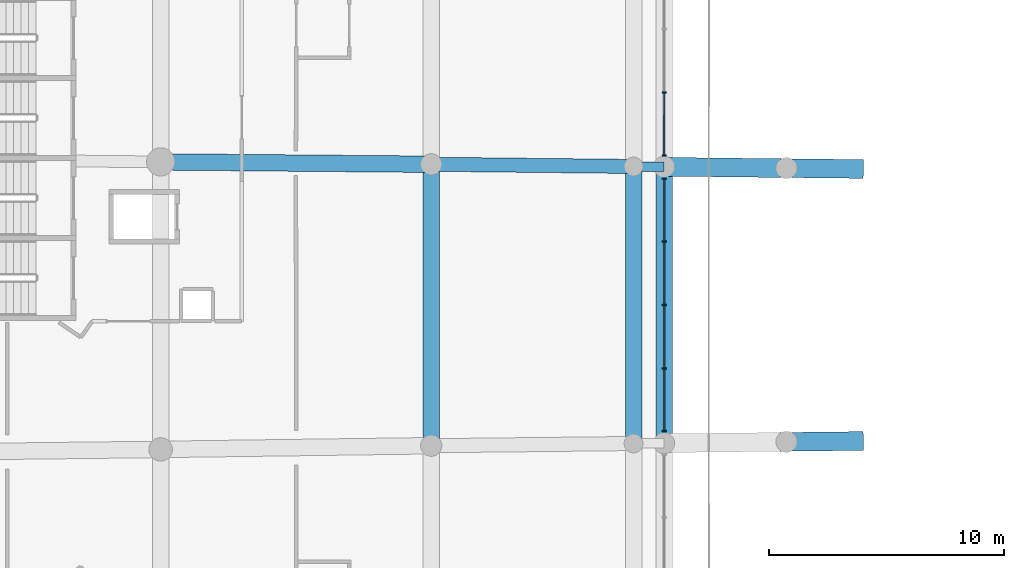
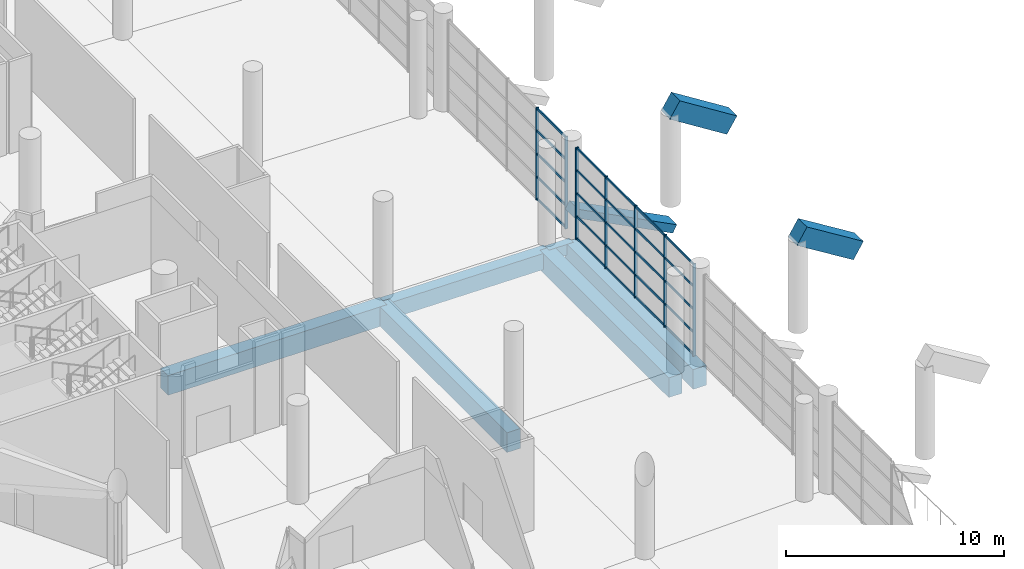
# One storey, part 38 of 271: 32 members, 9 beams, 2 elements without a shape of their own.
"""IFC4 building model written with IfcOpenShell, lengths in metres."""

from ifc_helpers import new_model, si_unit, direction, frame, origin, origin_2d, place, context, subcontext, project, spatial, rectangle, extrude, material, layer, layer_set, material_profile, profile_set, type_object, element, aggregate, save


model = new_model("IFC4")

# Units and contexts
model_context = context("Model", 3, precision=1e-05, world=origin(), true_north=direction((0.0, 1.0)))
body_context = subcontext(model_context, "Body", "Model", "MODEL_VIEW")
ifc_project = project(units=[si_unit("LENGTHUNIT", "METRE"), si_unit("AREAUNIT", "SQUARE_METRE"), si_unit("VOLUMEUNIT", "CUBIC_METRE"), si_unit("PLANEANGLEUNIT", "RADIAN"), si_unit("MASSUNIT", "GRAM", prefix="KILO")], contexts=[model_context])

# Site, building, storey
site_placement = place(None, origin())
site = spatial("IfcSite", under=ifc_project, at=site_placement, CompositionType="ELEMENT")
building_placement = place(site_placement, origin())
building = spatial("IfcBuilding", under=site, at=building_placement, Name="Meseta Stadium", CompositionType="ELEMENT")
storey_placement = place(building_placement, frame((0.0, 0.0, 6.5)))
storey = spatial("IfcBuildingStorey", under=building, at=storey_placement, Name="L01", CompositionType="ELEMENT", Elevation=6.5)

# Curtain wall, members
ifc_material_1 = material(Name="Aluminium", Category="aluminium")
ifc_layer = layer(ifc_material_1, 0.199951171875)
ifc_layer_set = layer_set([ifc_layer], Name="Club glazing curtain wall")
curtain_wall_type = type_object("IfcCurtainWallType", Name="Club glazing curtain wall", PredefinedType="NOTDEFINED", material=ifc_layer_set)
curtain_wall_1_placement = place(storey_placement, origin())
curtain_wall_1 = element("IfcCurtainWall", 1, at=curtain_wall_1_placement, inside=storey, type_object=curtain_wall_type, Name="Club glazing bay 31", PredefinedType="NOTDEFINED")
ifc_material_2 = material(Name="Aluminium", Category="aluminium")
ifc_material_profile_1 = material_profile(ifc_material_2, rectangle(XDim=0.159912109375, YDim=0.06005859375, at=origin_2d()), Name="CW 160x60")
ifc_profile_set_1 = profile_set([ifc_material_profile_1], Name="Aluminium")
member_type_1 = type_object("IfcMemberType", Name="CW mullion 60x160", PredefinedType="MULLION", material=ifc_profile_set_1)
member_1_placement = place(storey_placement, frame((-63.595703125, 9.02685546875, 0.0), z_axis=(0.0, 0.0, 1.0), x_axis=(0.999999572613, -0.000924539991, 0.0)))
member_1 = element("IfcMember", 2, at=member_1_placement, type_object=member_type_1, Name="CWC mullion 4", PredefinedType="MULLION", context=body_context, shape_type="SweptSolid", body=[
    extrude(rectangle(XDim=0.159912109375, YDim=0.06005859375, at=origin_2d()), origin(), (0.0, 0.0, 1.0), 5.14990234375),
])
member_2_placement = place(storey_placement, frame((-63.59814453125, 6.352783203125, 0.0), z_axis=(0.0, 0.0, 1.0), x_axis=(0.999999572613, -0.000924539991, 0.0)))
member_2 = element("IfcMember", 3, at=member_2_placement, type_object=member_type_1, Name="CWC mullion 5", PredefinedType="MULLION", context=body_context, shape_type="SweptSolid", body=[
    extrude(rectangle(XDim=0.159912109375, YDim=0.06005859375, at=origin_2d()), origin(), (0.0, 0.0, 1.0), 5.14990234375),
])

curtain_wall_2_placement = place(storey_placement, origin())
curtain_wall_2 = element("IfcCurtainWall", 4, at=curtain_wall_2_placement, inside=storey, type_object=curtain_wall_type, Name="Club glazing bay 32", PredefinedType="NOTDEFINED")
member_3_placement = place(storey_placement, frame((-63.5986328125, 5.36376953125, 0.0), z_axis=(0.0, 0.0, 1.0), x_axis=(1.0, 0.0, 0.0)))
member_3 = element("IfcMember", 5, at=member_3_placement, type_object=member_type_1, Name="CWC mullion 1", PredefinedType="MULLION", context=body_context, shape_type="SweptSolid", body=[
    extrude(rectangle(XDim=0.159912109375, YDim=0.06005859375, at=origin_2d()), origin(), (0.0, 0.0, 1.0), 5.14990234375),
])
member_4_placement = place(storey_placement, frame((-63.5986328125, 2.697021484375, 0.0), z_axis=(0.0, 0.0, 1.0), x_axis=(1.0, 0.0, 0.0)))
member_4 = element("IfcMember", 6, at=member_4_placement, type_object=member_type_1, Name="CWC mullion 2", PredefinedType="MULLION", context=body_context, shape_type="SweptSolid", body=[
    extrude(rectangle(XDim=0.159912109375, YDim=0.06005859375, at=origin_2d()), origin(), (0.0, 0.0, 1.0), 5.14990234375),
])
member_5_placement = place(storey_placement, frame((-63.5986328125, 0.0, 0.0), z_axis=(0.0, 0.0, 1.0), x_axis=(1.0, 0.0, 0.0)))
member_5 = element("IfcMember", 7, at=member_5_placement, type_object=member_type_1, Name="CWC mullion 3", PredefinedType="MULLION", context=body_context, shape_type="SweptSolid", body=[
    extrude(rectangle(XDim=0.159912109375, YDim=0.06005859375, at=origin_2d()), origin(), (0.0, 0.0, 1.0), 5.14990234375),
])
member_6_placement = place(storey_placement, frame((-63.5986328125, -2.697021484375, 0.0), z_axis=(0.0, 0.0, 1.0), x_axis=(1.0, 0.0, 0.0)))
member_6 = element("IfcMember", 8, at=member_6_placement, type_object=member_type_1, Name="CWC mullion 4", PredefinedType="MULLION", context=body_context, shape_type="SweptSolid", body=[
    extrude(rectangle(XDim=0.159912109375, YDim=0.06005859375, at=origin_2d()), origin(), (0.0, 0.0, 1.0), 5.14990234375),
])
member_7_placement = place(storey_placement, frame((-63.5986328125, -5.36376953125, 0.0), z_axis=(0.0, 0.0, 1.0), x_axis=(1.0, 0.0, 0.0)))
member_7 = element("IfcMember", 9, at=member_7_placement, type_object=member_type_1, Name="CWC mullion 5", PredefinedType="MULLION", context=body_context, shape_type="SweptSolid", body=[
    extrude(rectangle(XDim=0.159912109375, YDim=0.06005859375, at=origin_2d()), origin(), (0.0, 0.0, 1.0), 5.14990234375),
])

# Member
ifc_material_3 = material(Name="Aluminium", Category="aluminium")
ifc_material_profile_2 = material_profile(ifc_material_3, rectangle(XDim=0.06005859375, YDim=0.1201171875, at=origin_2d()), Name="CW 60x120")
ifc_profile_set_2 = profile_set([ifc_material_profile_2], Name="Aluminium")
member_type_2 = type_object("IfcMemberType", Name="CW transom 60x120", PredefinedType="USERDEFINED", material=ifc_profile_set_2)
member_8_placement = place(storey_placement, frame((-63.595703125, 8.996826171875, 0.06005859375), z_axis=(-0.000933968025, -0.999999563852, 0.0), x_axis=(0.999999563852, -0.000933968025, 0.0)))
member_8 = element("IfcMember", 10, at=member_8_placement, type_object=member_type_2, Name="CWC transom 4.1", ObjectType="TRANSOM", PredefinedType="USERDEFINED", context=body_context, shape_type="SweptSolid", body=[
    extrude(rectangle(XDim=0.06005859375, YDim=0.1201171875, at=origin_2d()), origin(), (0.0, 0.0, 1.0), 2.614013671875),
])

member_9_placement = place(storey_placement, frame((-63.595703125, 8.996826171875, 1.28759765625), z_axis=(-0.000933968025, -0.999999563852, 0.0), x_axis=(0.999999563852, -0.000933968025, 0.0)))
member_9 = element("IfcMember", 11, at=member_9_placement, type_object=member_type_2, Name="CWC transom 4.2", ObjectType="TRANSOM", PredefinedType="USERDEFINED", context=body_context, shape_type="SweptSolid", body=[
    extrude(rectangle(XDim=0.06005859375, YDim=0.1201171875, at=origin_2d()), origin(), (0.0, 0.0, 1.0), 2.614013671875),
])

member_10_placement = place(storey_placement, frame((-63.595703125, 8.996826171875, 2.574951171875), z_axis=(-0.000933968025, -0.999999563852, 0.0), x_axis=(0.999999563852, -0.000933968025, 0.0)))
member_10 = element("IfcMember", 12, at=member_10_placement, type_object=member_type_2, Name="CWC transom 4.3", ObjectType="TRANSOM", PredefinedType="USERDEFINED", context=body_context, shape_type="SweptSolid", body=[
    extrude(rectangle(XDim=0.06005859375, YDim=0.1201171875, at=origin_2d()), origin(), (0.0, 0.0, 1.0), 2.614013671875),
])

member_11_placement = place(storey_placement, frame((-63.595703125, 8.996826171875, 3.862548828125), z_axis=(-0.000933968025, -0.999999563852, 0.0), x_axis=(0.999999563852, -0.000933968025, 0.0)))
member_11 = element("IfcMember", 13, at=member_11_placement, type_object=member_type_2, Name="CWC transom 4.4", ObjectType="TRANSOM", PredefinedType="USERDEFINED", context=body_context, shape_type="SweptSolid", body=[
    extrude(rectangle(XDim=0.06005859375, YDim=0.1201171875, at=origin_2d()), origin(), (0.0, 0.0, 1.0), 2.614013671875),
])

member_12_placement = place(storey_placement, frame((-63.595703125, 8.996826171875, 5.090087890625), z_axis=(-0.000933968025, -0.999999563852, 0.0), x_axis=(0.999999563852, -0.000933968025, 0.0)))
member_12 = element("IfcMember", 14, at=member_12_placement, type_object=member_type_2, Name="CWC transom 4.5", ObjectType="TRANSOM", PredefinedType="USERDEFINED", context=body_context, shape_type="SweptSolid", body=[
    extrude(rectangle(XDim=0.06005859375, YDim=0.1201171875, at=origin_2d()), origin(), (0.0, 0.0, 1.0), 2.614013671875),
])

aggregate(curtain_wall_1, [member_1, member_2, member_8, member_9, member_10, member_11, member_12])

member_13_placement = place(storey_placement, frame((-63.5986328125, 5.333740234375, 0.06005859375), z_axis=(0.0, -1.0, 0.0), x_axis=(1.0, 0.0, 0.0)))
member_13 = element("IfcMember", 15, at=member_13_placement, type_object=member_type_2, Name="CWC transom 1.1", ObjectType="TRANSOM", PredefinedType="USERDEFINED", context=body_context, shape_type="SweptSolid", body=[
    extrude(rectangle(XDim=0.06005859375, YDim=0.1201171875, at=origin_2d()), origin(), (0.0, 0.0, 1.0), 2.60693359375),
])

member_14_placement = place(storey_placement, frame((-63.5986328125, 5.333740234375, 1.28759765625), z_axis=(0.0, -1.0, 0.0), x_axis=(1.0, 0.0, 0.0)))
member_14 = element("IfcMember", 16, at=member_14_placement, type_object=member_type_2, Name="CWC transom 1.2", ObjectType="TRANSOM", PredefinedType="USERDEFINED", context=body_context, shape_type="SweptSolid", body=[
    extrude(rectangle(XDim=0.06005859375, YDim=0.1201171875, at=origin_2d()), origin(), (0.0, 0.0, 1.0), 2.60693359375),
])

member_15_placement = place(storey_placement, frame((-63.5986328125, 5.333740234375, 2.574951171875), z_axis=(0.0, -1.0, 0.0), x_axis=(1.0, 0.0, 0.0)))
member_15 = element("IfcMember", 17, at=member_15_placement, type_object=member_type_2, Name="CWC transom 1.3", ObjectType="TRANSOM", PredefinedType="USERDEFINED", context=body_context, shape_type="SweptSolid", body=[
    extrude(rectangle(XDim=0.06005859375, YDim=0.1201171875, at=origin_2d()), origin(), (0.0, 0.0, 1.0), 2.60693359375),
])

member_16_placement = place(storey_placement, frame((-63.5986328125, 5.333740234375, 3.862548828125), z_axis=(0.0, -1.0, 0.0), x_axis=(1.0, 0.0, 0.0)))
member_16 = element("IfcMember", 18, at=member_16_placement, type_object=member_type_2, Name="CWC transom 1.4", ObjectType="TRANSOM", PredefinedType="USERDEFINED", context=body_context, shape_type="SweptSolid", body=[
    extrude(rectangle(XDim=0.06005859375, YDim=0.1201171875, at=origin_2d()), origin(), (0.0, 0.0, 1.0), 2.60693359375),
])

member_17_placement = place(storey_placement, frame((-63.5986328125, 5.333740234375, 5.090087890625), z_axis=(0.0, -1.0, 0.0), x_axis=(1.0, 0.0, 0.0)))
member_17 = element("IfcMember", 19, at=member_17_placement, type_object=member_type_2, Name="CWC transom 1.5", ObjectType="TRANSOM", PredefinedType="USERDEFINED", context=body_context, shape_type="SweptSolid", body=[
    extrude(rectangle(XDim=0.06005859375, YDim=0.1201171875, at=origin_2d()), origin(), (0.0, 0.0, 1.0), 2.60693359375),
])

member_18_placement = place(storey_placement, frame((-63.5986328125, 2.6669921875, 0.06005859375), z_axis=(0.0, -1.0, 0.0), x_axis=(1.0, 0.0, 0.0)))
member_18 = element("IfcMember", 20, at=member_18_placement, type_object=member_type_2, Name="CWC transom 2.1", ObjectType="TRANSOM", PredefinedType="USERDEFINED", context=body_context, shape_type="SweptSolid", body=[
    extrude(rectangle(XDim=0.06005859375, YDim=0.1201171875, at=origin_2d()), origin(), (0.0, 0.0, 1.0), 2.636962890625),
])

member_19_placement = place(storey_placement, frame((-63.5986328125, 2.6669921875, 1.28759765625), z_axis=(0.0, -1.0, 0.0), x_axis=(1.0, 0.0, 0.0)))
member_19 = element("IfcMember", 21, at=member_19_placement, type_object=member_type_2, Name="CWC transom 2.2", ObjectType="TRANSOM", PredefinedType="USERDEFINED", context=body_context, shape_type="SweptSolid", body=[
    extrude(rectangle(XDim=0.06005859375, YDim=0.1201171875, at=origin_2d()), origin(), (0.0, 0.0, 1.0), 2.636962890625),
])

member_20_placement = place(storey_placement, frame((-63.5986328125, 2.6669921875, 2.574951171875), z_axis=(0.0, -1.0, 0.0), x_axis=(1.0, 0.0, 0.0)))
member_20 = element("IfcMember", 22, at=member_20_placement, type_object=member_type_2, Name="CWC transom 2.3", ObjectType="TRANSOM", PredefinedType="USERDEFINED", context=body_context, shape_type="SweptSolid", body=[
    extrude(rectangle(XDim=0.06005859375, YDim=0.1201171875, at=origin_2d()), origin(), (0.0, 0.0, 1.0), 2.636962890625),
])

member_21_placement = place(storey_placement, frame((-63.5986328125, 2.6669921875, 3.862548828125), z_axis=(0.0, -1.0, 0.0), x_axis=(1.0, 0.0, 0.0)))
member_21 = element("IfcMember", 23, at=member_21_placement, type_object=member_type_2, Name="CWC transom 2.4", ObjectType="TRANSOM", PredefinedType="USERDEFINED", context=body_context, shape_type="SweptSolid", body=[
    extrude(rectangle(XDim=0.06005859375, YDim=0.1201171875, at=origin_2d()), origin(), (0.0, 0.0, 1.0), 2.636962890625),
])

member_22_placement = place(storey_placement, frame((-63.5986328125, 2.6669921875, 5.090087890625), z_axis=(0.0, -1.0, 0.0), x_axis=(1.0, 0.0, 0.0)))
member_22 = element("IfcMember", 24, at=member_22_placement, type_object=member_type_2, Name="CWC transom 2.5", ObjectType="TRANSOM", PredefinedType="USERDEFINED", context=body_context, shape_type="SweptSolid", body=[
    extrude(rectangle(XDim=0.06005859375, YDim=0.1201171875, at=origin_2d()), origin(), (0.0, 0.0, 1.0), 2.636962890625),
])

member_23_placement = place(storey_placement, frame((-63.5986328125, -0.030029296875, 0.06005859375), z_axis=(0.0, -1.0, 0.0), x_axis=(1.0, 0.0, 0.0)))
member_23 = element("IfcMember", 25, at=member_23_placement, type_object=member_type_2, Name="CWC transom 3.1", ObjectType="TRANSOM", PredefinedType="USERDEFINED", context=body_context, shape_type="SweptSolid", body=[
    extrude(rectangle(XDim=0.06005859375, YDim=0.1201171875, at=origin_2d()), origin(), (0.0, 0.0, 1.0), 2.636962890625),
])

member_24_placement = place(storey_placement, frame((-63.5986328125, -0.030029296875, 1.28759765625), z_axis=(0.0, -1.0, 0.0), x_axis=(1.0, 0.0, 0.0)))
member_24 = element("IfcMember", 26, at=member_24_placement, type_object=member_type_2, Name="CWC transom 3.2", ObjectType="TRANSOM", PredefinedType="USERDEFINED", context=body_context, shape_type="SweptSolid", body=[
    extrude(rectangle(XDim=0.06005859375, YDim=0.1201171875, at=origin_2d()), origin(), (0.0, 0.0, 1.0), 2.636962890625),
])

member_25_placement = place(storey_placement, frame((-63.5986328125, -0.030029296875, 2.574951171875), z_axis=(0.0, -1.0, 0.0), x_axis=(1.0, 0.0, 0.0)))
member_25 = element("IfcMember", 27, at=member_25_placement, type_object=member_type_2, Name="CWC transom 3.3", ObjectType="TRANSOM", PredefinedType="USERDEFINED", context=body_context, shape_type="SweptSolid", body=[
    extrude(rectangle(XDim=0.06005859375, YDim=0.1201171875, at=origin_2d()), origin(), (0.0, 0.0, 1.0), 2.636962890625),
])

member_26_placement = place(storey_placement, frame((-63.5986328125, -0.030029296875, 3.862548828125), z_axis=(0.0, -1.0, 0.0), x_axis=(1.0, 0.0, 0.0)))
member_26 = element("IfcMember", 28, at=member_26_placement, type_object=member_type_2, Name="CWC transom 3.4", ObjectType="TRANSOM", PredefinedType="USERDEFINED", context=body_context, shape_type="SweptSolid", body=[
    extrude(rectangle(XDim=0.06005859375, YDim=0.1201171875, at=origin_2d()), origin(), (0.0, 0.0, 1.0), 2.636962890625),
])

member_27_placement = place(storey_placement, frame((-63.5986328125, -0.030029296875, 5.090087890625), z_axis=(0.0, -1.0, 0.0), x_axis=(1.0, 0.0, 0.0)))
member_27 = element("IfcMember", 29, at=member_27_placement, type_object=member_type_2, Name="CWC transom 3.5", ObjectType="TRANSOM", PredefinedType="USERDEFINED", context=body_context, shape_type="SweptSolid", body=[
    extrude(rectangle(XDim=0.06005859375, YDim=0.1201171875, at=origin_2d()), origin(), (0.0, 0.0, 1.0), 2.636962890625),
])

member_28_placement = place(storey_placement, frame((-63.5986328125, -2.726806640625, 0.06005859375), z_axis=(0.0, -1.0, 0.0), x_axis=(1.0, 0.0, 0.0)))
member_28 = element("IfcMember", 30, at=member_28_placement, type_object=member_type_2, Name="CWC transom 4.1", ObjectType="TRANSOM", PredefinedType="USERDEFINED", context=body_context, shape_type="SweptSolid", body=[
    extrude(rectangle(XDim=0.06005859375, YDim=0.1201171875, at=origin_2d()), origin(), (0.0, 0.0, 1.0), 2.60693359375),
])

member_29_placement = place(storey_placement, frame((-63.5986328125, -2.726806640625, 1.28759765625), z_axis=(0.0, -1.0, 0.0), x_axis=(1.0, 0.0, 0.0)))
member_29 = element("IfcMember", 31, at=member_29_placement, type_object=member_type_2, Name="CWC transom 4.2", ObjectType="TRANSOM", PredefinedType="USERDEFINED", context=body_context, shape_type="SweptSolid", body=[
    extrude(rectangle(XDim=0.06005859375, YDim=0.1201171875, at=origin_2d()), origin(), (0.0, 0.0, 1.0), 2.60693359375),
])

member_30_placement = place(storey_placement, frame((-63.5986328125, -2.726806640625, 2.574951171875), z_axis=(0.0, -1.0, 0.0), x_axis=(1.0, 0.0, 0.0)))
member_30 = element("IfcMember", 32, at=member_30_placement, type_object=member_type_2, Name="CWC transom 4.3", ObjectType="TRANSOM", PredefinedType="USERDEFINED", context=body_context, shape_type="SweptSolid", body=[
    extrude(rectangle(XDim=0.06005859375, YDim=0.1201171875, at=origin_2d()), origin(), (0.0, 0.0, 1.0), 2.60693359375),
])

member_31_placement = place(storey_placement, frame((-63.5986328125, -2.726806640625, 3.862548828125), z_axis=(0.0, -1.0, 0.0), x_axis=(1.0, 0.0, 0.0)))
member_31 = element("IfcMember", 33, at=member_31_placement, type_object=member_type_2, Name="CWC transom 4.4", ObjectType="TRANSOM", PredefinedType="USERDEFINED", context=body_context, shape_type="SweptSolid", body=[
    extrude(rectangle(XDim=0.06005859375, YDim=0.1201171875, at=origin_2d()), origin(), (0.0, 0.0, 1.0), 2.60693359375),
])

member_32_placement = place(storey_placement, frame((-63.5986328125, -2.726806640625, 5.090087890625), z_axis=(0.0, -1.0, 0.0), x_axis=(1.0, 0.0, 0.0)))
member_32 = element("IfcMember", 34, at=member_32_placement, type_object=member_type_2, Name="CWC transom 4.5", ObjectType="TRANSOM", PredefinedType="USERDEFINED", context=body_context, shape_type="SweptSolid", body=[
    extrude(rectangle(XDim=0.06005859375, YDim=0.1201171875, at=origin_2d()), origin(), (0.0, 0.0, 1.0), 2.60693359375),
])

aggregate(curtain_wall_2, [member_3, member_4, member_5, member_6, member_7, member_13, member_14, member_15, member_16, member_17, member_18, member_19, member_20, member_21, member_22, member_23, member_24, member_25, member_26, member_27, member_28, member_29, member_30, member_31, member_32])

# Beams
ifc_material_4 = material(Name="Concrete C40/50", Category="concrete")
ifc_material_profile_3 = material_profile(ifc_material_4, rectangle(XDim=0.39990234375, YDim=0.60009765625, at=origin_2d()), Name="RC 400x600")
ifc_profile_set_3 = profile_set([ifc_material_profile_3], Name="Concrete C40/50")
beam_type_1 = type_object("IfcBeamType", Name="RC beam 400x600", PredefinedType="BEAM", material=ifc_profile_set_3)
beam_1_placement = place(storey_placement, frame((-63.5986328125, 5.872802734375, -0.64990234375), z_axis=(-0.999940687241, 0.010891372744, 0.0), x_axis=(-0.010891372744, -0.999940687241, 0.0)))
element("IfcBeam", 35, at=beam_1_placement, inside=storey, type_object=beam_type_1, Name="L01 radial beam frame 32 line C to D", PredefinedType="BEAM", context=body_context, shape_type="SweptSolid", body=[
    extrude(rectangle(XDim=0.39990234375, YDim=0.60009765625, at=origin_2d()), origin(), (0.0, 0.0, 1.0), 1.300048828125),
])
ifc_material_5 = material(Name="Concrete C40/50", Category="concrete")
ifc_material_profile_4 = material_profile(ifc_material_5, rectangle(XDim=0.60009765625, YDim=0.89990234375, at=origin_2d()), Name="RC 600x900")
ifc_profile_set_4 = profile_set([ifc_material_profile_4], Name="Concrete C40/50")
beam_type_2 = type_object("IfcBeamType", Name="RC beam 600x900", PredefinedType="BEAM", material=ifc_profile_set_4)
beam_2_placement = place(storey_placement, frame((-64.898681640625, 5.886962890625, -0.800048828125), z_axis=(-0.999939958323, 0.010958090563, 0.0), x_axis=(-0.010958090563, -0.999939958323, 0.0)))
element("IfcBeam", 36, at=beam_2_placement, inside=storey, type_object=beam_type_2, Name="L01 radial beam frame 32 line D to E", PredefinedType="BEAM", context=body_context, shape_type="SweptSolid", body=[
    extrude(rectangle(XDim=0.60009765625, YDim=0.89990234375, at=origin_2d()), origin(), (0.0, 0.0, 1.0), 8.599853515625),
])
ifc_material_6 = material(Name="Concrete C40/50", Category="concrete")
ifc_material_profile_5 = material_profile(ifc_material_6, rectangle(XDim=0.699951171875, YDim=1.10009765625, at=origin_2d()), Name="RC 700x1100")
ifc_profile_set_5 = profile_set([ifc_material_profile_5], Name="Concrete C40/50")
beam_type_3 = type_object("IfcBeamType", Name="RC beam 700x1100", PredefinedType="BEAM", material=ifc_profile_set_5)
beam_3_placement = place(storey_placement, frame((-63.5986328125, 5.872802734375, -0.89990234375), z_axis=(0.0, -1.0, 0.0), x_axis=(1.0, 0.0, 0.0)))
element("IfcBeam", 37, at=beam_3_placement, inside=storey, type_object=beam_type_3, Name="L01 ring beam frame 32 line C", PredefinedType="BEAM", context=body_context, shape_type="SweptSolid", body=[
    extrude(rectangle(XDim=0.699951171875, YDim=1.10009765625, at=origin_2d()), origin(), (0.0, 0.0, 1.0), 11.74560546875),
])
beam_4_placement = place(storey_placement, frame((-64.898681640625, 5.886962890625, -0.89990234375), z_axis=(0.0, -1.0, 0.0), x_axis=(1.0, 0.0, 0.0)))
element("IfcBeam", 38, at=beam_4_placement, inside=storey, type_object=beam_type_3, Name="L01 ring beam frame 32 line D", PredefinedType="BEAM", context=body_context, shape_type="SweptSolid", body=[
    extrude(rectangle(XDim=0.699951171875, YDim=1.10009765625, at=origin_2d()), origin(), (0.0, 0.0, 1.0), 11.77392578125),
])
beam_5_placement = place(storey_placement, frame((-73.498046875, 5.981201171875, -0.89990234375), z_axis=(0.0, -1.0, 0.0), x_axis=(1.0, 0.0, 0.0)))
element("IfcBeam", 39, at=beam_5_placement, inside=storey, type_object=beam_type_3, Name="L01 ring beam frame 32 line E", PredefinedType="BEAM", context=body_context, shape_type="SweptSolid", body=[
    extrude(rectangle(XDim=0.699951171875, YDim=1.10009765625, at=origin_2d()), origin(), (0.0, 0.0, 1.0), 11.96240234375),
])
beam_6_placement = place(storey_placement, frame((-73.498046875, 5.981201171875, -0.89990234375), z_axis=(-0.999962117874, 0.008704183863, 0.0), x_axis=(-0.008704183863, -0.999962117874, 0.0)))
element("IfcBeam", 40, at=beam_6_placement, inside=storey, type_object=beam_type_3, Name="L01 radial beam frame 32 line E to P", PredefinedType="BEAM", context=body_context, shape_type="SweptSolid", body=[
    extrude(rectangle(XDim=0.699951171875, YDim=1.10009765625, at=origin_2d()), origin(), (0.0, 0.0, 1.0), 11.5),
])
ifc_material_7 = material(Name="Concrete C40/50", Category="concrete")
ifc_material_profile_6 = material_profile(ifc_material_7, rectangle(XDim=0.800048828125, YDim=0.449951171875, at=origin_2d()), Name="RC 800x450")
ifc_profile_set_6 = profile_set([ifc_material_profile_6], Name="Concrete C40/50")
beam_type_4 = type_object("IfcBeamType", Name="RC raker lower 800x450", PredefinedType="USERDEFINED", material=ifc_profile_set_6)
beam_7_placement = place(storey_placement, frame((-58.39892578125, 5.81591796875, -1.27197265625), z_axis=(-0.890792815465, 0.009745268382, 0.454305172391), x_axis=(-0.010939339756, -0.999940163633, 0.0)))
element("IfcBeam", 41, at=beam_7_placement, inside=storey, type_object=beam_type_4, Name="Raker lower frame 32 lower tier", ObjectType="RAKER", PredefinedType="USERDEFINED", context=body_context, shape_type="SweptSolid", body=[
    extrude(rectangle(XDim=0.800048828125, YDim=0.449951171875, at=origin_2d()), origin(), (0.0, 0.0, 1.0), 5.837158203125),
])
ifc_material_8 = material(Name="Concrete C40/50", Category="concrete")
ifc_material_profile_7 = material_profile(ifc_material_8, rectangle(XDim=0.800048828125, YDim=1.0, at=origin_2d()), Name="RC 800x1000")
ifc_profile_set_7 = profile_set([ifc_material_profile_7], Name="Concrete C40/50")
beam_type_5 = type_object("IfcBeamType", Name="RC raker upper front 800x1000", PredefinedType="USERDEFINED", material=ifc_profile_set_7)
for number, where, z_axis, x_axis, name in (
    (42, (-55.399169921875, 5.782958984375, 3.49755859375), (-0.847942115284, 0.009316528491, 0.530006954129), (-0.010986559144, -0.999939645938, 0.0), "Raker upper front frame 32 upper tier"),
    (43, (-55.399169921875, -5.782958984375, 3.49755859375), (-0.847942115284, -0.009316528491, 0.530006954129), (0.010986559144, -0.999939645938, 0.0), "Raker upper front frame 33 upper tier"),
):
    element("IfcBeam", number, at=place(storey_placement, frame(where, z_axis=z_axis, x_axis=x_axis)), inside=storey, type_object=beam_type_5, Name=name, ObjectType="RAKER", PredefinedType="USERDEFINED", context=body_context, shape_type="SweptSolid", body=[
        extrude(rectangle(XDim=0.800048828125, YDim=1.0, at=origin_2d()), origin(), (0.0, 0.0, 1.0), 3.53759765625),
    ])

save(model, "model.ifc")
